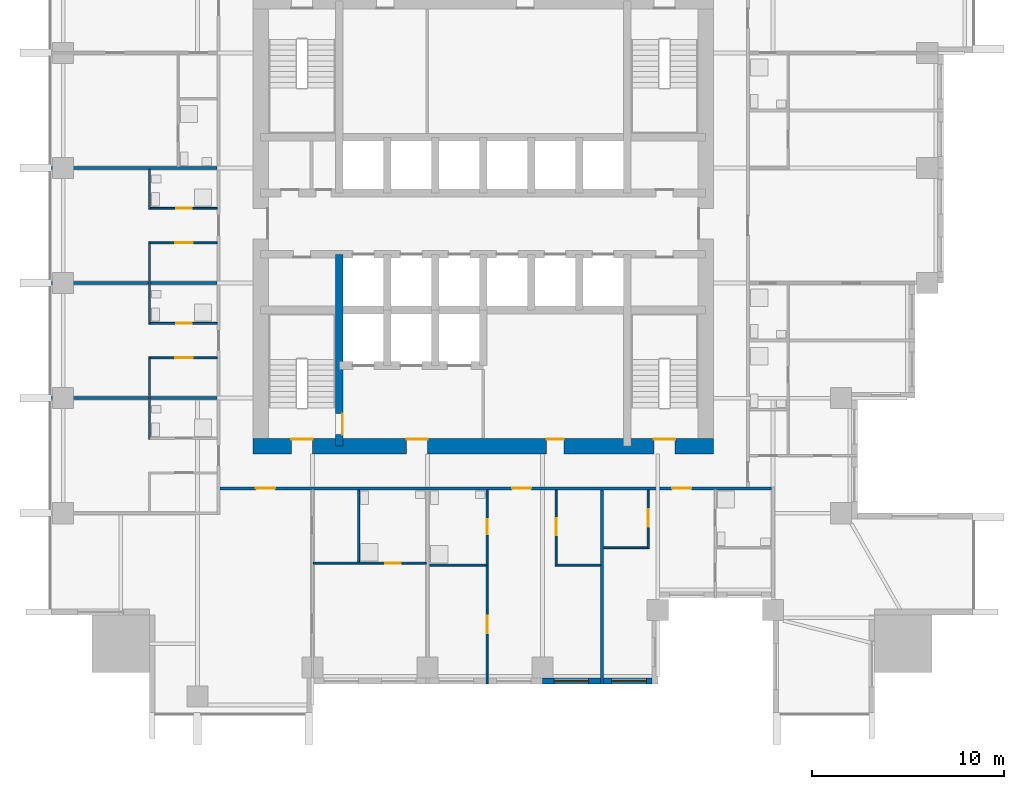
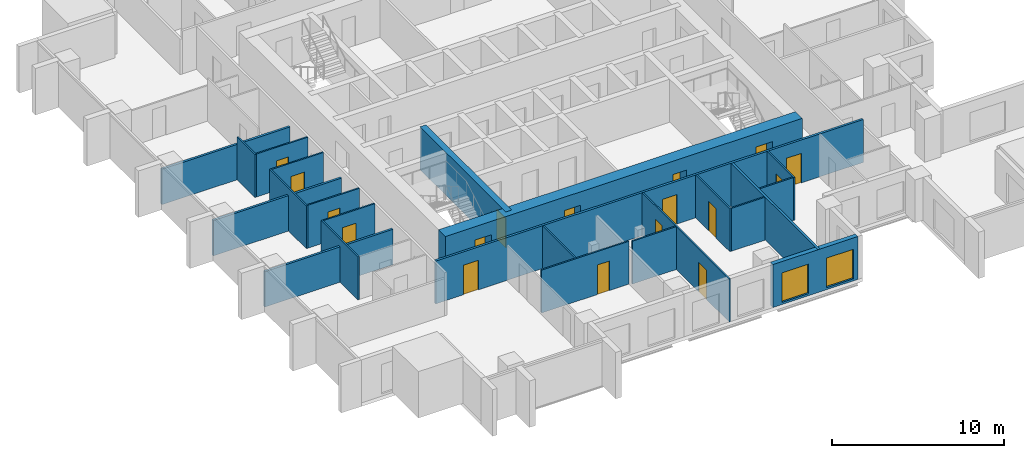
# One storey, part 4 of 10: 23 walls, 17 doors, 2 windows, 19 openings.
"""IFC4 building model written with IfcOpenShell, lengths in metres."""

import ifcopenshell
import ifcopenshell.guid

model = None  # the IFC model being written
_history = None  # IfcOwnerHistory: only IFC2X3 demands one
_inside = {}  # id of a spatial element -> (the spatial element, [elements in it])
_under = {}  # id of a project, library or spatial element -> (it, [spatial elements below it])
_declared = {}  # id of a project -> (the project, [libraries it declares])
_typed = {}  # id of a type object -> (the type object, [elements of that type])
_made_of = {}  # id of a material, layer set ... -> (it, [elements and type objects made of it])


def new_model(schema):
    """Start an empty IFC model of exactly this schema.

    Asked for "IFC4X3", IfcOpenShell would pick the latest addendum, in which some entities
    have other attributes; the version numbers below select the first issue.
    IFC2X3 requires an IfcOwnerHistory on every rooted entity: one is made here for all.
    """
    global model, _history
    if schema == "IFC4X3":
        model = ifcopenshell.file(schema_version=(4, 3, 0, 0))
    else:
        model = ifcopenshell.file(schema=schema)
    _inside.clear()
    _under.clear()
    _declared.clear()
    _typed.clear()
    _made_of.clear()
    _history = None
    if model.schema == "IFC2X3":
        org = make("IfcOrganization", Name="unknown")
        user = make(
            "IfcPersonAndOrganization",
            ThePerson=make("IfcPerson", FamilyName="unknown"),
            TheOrganization=org,
        )
        app = make(
            "IfcApplication",
            ApplicationDeveloper=org,
            Version="unknown",
            ApplicationFullName="unknown",
            ApplicationIdentifier="unknown",
        )
        _history = make(
            "IfcOwnerHistory",
            OwningUser=user,
            OwningApplication=app,
            ChangeAction="ADDED",
            CreationDate=0,
        )
    return model


def make(cls, **values):
    """One entity of the class cls with the attributes given. An attribute that is None is left unset."""
    return model.create_entity(
        cls, **{name: value for name, value in values.items() if value is not None}
    )


def rooted(cls, **values):
    """An entity with a GlobalId (a new one), such as an element, a storey or a relation."""
    return make(cls, GlobalId=ifcopenshell.guid.new(), OwnerHistory=_history, **values)


def si_unit(unit_type, name, prefix=None):
    """IfcSIUnit, for example si_unit("LENGTHUNIT", "METRE", prefix="MILLI")."""
    return make("IfcSIUnit", UnitType=unit_type, Prefix=prefix, Name=name)


def assignment(units):
    """IfcUnitAssignment: the units of a project."""
    return None if units is None else make("IfcUnitAssignment", Units=units)


def point(xyz):
    """IfcCartesianPoint."""
    return None if xyz is None else make("IfcCartesianPoint", Coordinates=xyz)


def direction(xyz):
    """IfcDirection."""
    return None if xyz is None else make("IfcDirection", DirectionRatios=xyz)


def frame(location, z_axis=None, x_axis=None):
    """IfcAxis2Placement3D, a coordinate frame: its origin and axes. An axis left out is left unset."""
    return make(
        "IfcAxis2Placement3D",
        Location=point(location),
        Axis=direction(z_axis),
        RefDirection=direction(x_axis),
    )


def frame_2d(location, x_axis=None):
    """IfcAxis2Placement2D, a coordinate frame in the plane: its origin and x axis."""
    return make(
        "IfcAxis2Placement2D", Location=point(location), RefDirection=direction(x_axis)
    )


def origin():
    """The frame at (0, 0, 0) with its axes left unset."""
    return frame((0.0, 0.0, 0.0))


def place(relative_to, where):
    """IfcLocalPlacement: puts the frame where relative to a parent placement (None: the world)."""
    return make(
        "IfcLocalPlacement", PlacementRelTo=relative_to, RelativePlacement=where
    )


def context(
    kind, dimensions, precision=None, world=None, true_north=None, identifier=None
):
    """IfcGeometricRepresentationContext, for example the 3D "Model" context."""
    return make(
        "IfcGeometricRepresentationContext",
        ContextIdentifier=identifier,
        ContextType=kind,
        CoordinateSpaceDimension=dimensions,
        Precision=precision,
        WorldCoordinateSystem=world,
        TrueNorth=true_north,
    )


def subcontext(parent, identifier, kind, view, scale=None):
    """IfcGeometricRepresentationSubContext, for example "Body" below "Model"."""
    return make(
        "IfcGeometricRepresentationSubContext",
        ContextIdentifier=identifier,
        ContextType=kind,
        ParentContext=parent,
        TargetScale=scale,
        TargetView=view,
    )


def project(units=None, contexts=None):
    """IfcProject with its units and contexts."""
    return rooted(
        "IfcProject",
        Name="project",
        RepresentationContexts=contexts,
        UnitsInContext=assignment(units),
    )


def spatial(cls, under=None, at=None, **own):
    """A site, building, storey or space (cls), placed at a placement, below another one or the project."""
    s = rooted(cls, ObjectPlacement=at, **own)
    if under is not None:
        _under.setdefault(under.id(), (under, []))[1].append(s)
    return s


def profile(cls, at=None, kind="AREA", **sizes):
    """A parametric profile (cls). Its sizes go by their IFC names, for example OverallWidth=200.0."""
    return make(cls, ProfileType=kind, Position=at, **sizes)


def rectangle(**sizes):
    """IfcRectangleProfileDef."""
    return profile("IfcRectangleProfileDef", **sizes)


def extrude(swept, where, along, depth):
    """IfcExtrudedAreaSolid: the profile swept, set in the frame where, extruded along a direction by depth."""
    return make(
        "IfcExtrudedAreaSolid",
        SweptArea=swept,
        Position=where,
        ExtrudedDirection=direction(along),
        Depth=depth,
    )


def shape(context_of_items, identifier, shape_type, items):
    """IfcShapeRepresentation: the items that make up one representation, for example the "Body"."""
    return make(
        "IfcShapeRepresentation",
        ContextOfItems=context_of_items,
        RepresentationIdentifier=identifier,
        RepresentationType=shape_type,
        Items=items,
    )


def material(Name=None, Category=None):
    """IfcMaterial."""
    return make("IfcMaterial", Name=Name, Category=Category)


def layer(
    of_material, thickness, ventilated=None, Name=None, Category=None, Priority=None
):
    """IfcMaterialLayer: one layer of a wall or slab, of a material (None: an air gap)."""
    return make(
        "IfcMaterialLayer",
        Material=of_material,
        LayerThickness=thickness,
        IsVentilated=ventilated,
        Name=Name,
        Category=Category,
        Priority=Priority,
    )


def layer_set(layers, Name=None):
    """IfcMaterialLayerSet."""
    return make("IfcMaterialLayerSet", MaterialLayers=layers, LayerSetName=Name)


def made_of(thing, what):
    """Note that an element or type object is made of a material, layer set ...; save() writes the relation."""
    if what is not None:
        _made_of.setdefault(what.id(), (what, []))[1].append(thing)
    return thing


def type_object(cls, material=None, **own):
    """A type object (cls), such as IfcWallType, which elements share."""
    return made_of(rooted(cls, **own), material)


def element(
    cls,
    number,
    at=None,
    inside=None,
    cuts=None,
    type_object=None,
    material=None,
    context=None,
    identifier="Body",
    shape_type=None,
    held_by="IfcProductDefinitionShape",
    body=None,
    shapes=None,
    **own,
):
    """One element of the class cls, such as IfcWall. Its Tag is "e" and its number.

    at: its placement. inside: the storey or other place that contains it. cuts: it is an
    opening in that element (IfcRelVoidsElement). A single representation is given by context,
    identifier, shape_type and body (its items); several are given by shapes. held_by: the class
    of the entity that holds the representations. save() writes the other relations.
    """
    e = rooted(cls, Tag="e%d" % number, ObjectPlacement=at, **own)
    if body is not None:
        shapes = [shape(context, identifier, shape_type, body)]
    if shapes is not None:
        e.Representation = make(held_by, Representations=shapes)
    if inside is not None:
        _inside.setdefault(inside.id(), (inside, []))[1].append(e)
    if cuts is not None:
        rooted(
            "IfcRelVoidsElement", RelatingBuildingElement=cuts, RelatedOpeningElement=e
        )
    if type_object is not None:
        _typed.setdefault(type_object.id(), (type_object, []))[1].append(e)
    return made_of(e, material)


def fill(opening, filler):
    """IfcRelFillsElement: the door or window that sits in an opening."""
    return rooted(
        "IfcRelFillsElement",
        RelatingOpeningElement=opening,
        RelatedBuildingElement=filler,
    )


def aggregate(whole, parts):
    """IfcRelAggregates: a whole, such as a stair, and the parts it consists of."""
    return rooted("IfcRelAggregates", RelatingObject=whole, RelatedObjects=parts)


def save(model, path):
    """Write the relations noted so far, then the file.

    IfcRelAggregates (storeys below a building ...), IfcRelContainedInSpatialStructure (elements
    in a storey), IfcRelDefinesByType, IfcRelAssociatesMaterial and IfcRelDeclares: one each for
    every whole, place, type object, material and project.
    """
    for whole, parts in _under.values():
        aggregate(whole, parts)
    for where, things in _inside.values():
        rooted(
            "IfcRelContainedInSpatialStructure",
            RelatedElements=things,
            RelatingStructure=where,
        )
    for kind, things in _typed.values():
        rooted("IfcRelDefinesByType", RelatedObjects=things, RelatingType=kind)
    for what, things in _made_of.values():
        rooted("IfcRelAssociatesMaterial", RelatedObjects=things, RelatingMaterial=what)
    for by, libraries in _declared.values():
        rooted("IfcRelDeclares", RelatingContext=by, RelatedDefinitions=libraries)
    model.write(path)


model = new_model("IFC4")

# Units and contexts
model_context = context("Model", 3, precision=1e-05, world=origin(), true_north=direction((0.0, 1.0)))
body_context = subcontext(model_context, "Body", "Model", "MODEL_VIEW")
ifc_project = project(units=[si_unit("LENGTHUNIT", "METRE"), si_unit("AREAUNIT", "SQUARE_METRE"), si_unit("VOLUMEUNIT", "CUBIC_METRE"), si_unit("PLANEANGLEUNIT", "RADIAN"), si_unit("MASSUNIT", "GRAM", prefix="KILO")], contexts=[model_context])

# Site, building, storey
site_placement = place(None, origin())
site = spatial("IfcSite", under=ifc_project, at=site_placement, CompositionType="ELEMENT")
building_placement = place(site_placement, origin())
building = spatial("IfcBuilding", under=site, at=building_placement, Name="Amberfall Residences", CompositionType="ELEMENT")
storey_placement = place(building_placement, frame((0.0, 0.0, 105.10009765625)))
storey = spatial("IfcBuildingStorey", under=building, at=storey_placement, Name="L28", CompositionType="ELEMENT", Elevation=105.10009765625)

# Wall, openings, windows
ifc_material_1 = material(Name="Pale stone cladding on insulated backing", Category="masonry")
ifc_layer_1 = layer(ifc_material_1, 0.300048828125)
ifc_layer_set_1 = layer_set([ifc_layer_1], Name="Bronze clad wall 300")
wall_type_1 = type_object("IfcWallType", Name="Bronze clad wall 300", PredefinedType="SOLIDWALL", material=ifc_layer_set_1)
wall_1_placement = place(storey_placement, frame((77.60009765625, 21.64990234375, 0.0), z_axis=(0.0, 0.0, 1.0), x_axis=(1.0, 0.0, 0.0)))
wall_1 = element("IfcWall", 1, at=wall_1_placement, inside=storey, type_object=wall_type_1, Name="Stone wall L28 S", PredefinedType="SOLIDWALL", context=body_context, shape_type="SweptSolid", body=[
    extrude(rectangle(XDim=5.699951171875, YDim=0.300048828125, at=frame_2d((2.85009765625, 0.0))), origin(), (0.0, 0.0, 1.0), 3.0498046875),
])
opening_1_placement = place(wall_1_placement, frame((0.60009765625, 0.0, 0.14990234375)))
opening_1 = element("IfcOpeningElement", 2, at=opening_1_placement, cuts=wall_1, Name="Opening WN6", PredefinedType="OPENING", context=body_context, shape_type="SweptSolid", body=[
    extrude(rectangle(XDim=1.800048828125, YDim=2.10009765625, at=frame_2d((0.89990234375, 1.050048828125))), frame((0.0, 0.159912109375, 0.0), z_axis=(0.0, -1.0, 0.0), x_axis=(1.0, 0.0, 0.0)), (0.0, 0.0, 1.0), 0.320068359375),
])
opening_2_placement = place(wall_1_placement, frame((3.60009765625, 0.0, 0.14990234375)))
opening_2 = element("IfcOpeningElement", 3, at=opening_2_placement, cuts=wall_1, Name="Opening WN6", PredefinedType="OPENING", context=body_context, shape_type="SweptSolid", body=[
    extrude(rectangle(XDim=1.800048828125, YDim=2.10009765625, at=frame_2d((0.89990234375, 1.050048828125))), frame((0.0, 0.159912109375, 0.0), z_axis=(0.0, -1.0, 0.0), x_axis=(1.0, 0.0, 0.0)), (0.0, 0.0, 1.0), 0.320068359375),
])
ifc_material_2 = material(Name="Bronze aluminium framed glazing", Category="aluminium")
window_type = type_object("IfcWindowType", Name="Glazed opening 1800 x 2100 bronze", PartitioningType="DOUBLE_PANEL_VERTICAL", PredefinedType="WINDOW", material=ifc_material_2)
window_1_placement = place(opening_1_placement, origin())
window_1 = element("IfcWindow", 4, at=window_1_placement, inside=storey, type_object=window_type, Name="Window L28 S", OverallHeight=2.10009765625, OverallWidth=1.800048828125, PartitioningType="DOUBLE_PANEL_VERTICAL", PredefinedType="WINDOW", context=body_context, shape_type="SweptSolid", body=[
    extrude(rectangle(XDim=1.800048828125, YDim=2.10009765625, at=frame_2d((0.89990234375, 1.050048828125))), frame((0.0, 0.030029296875, 0.0), z_axis=(0.0, -1.0, 0.0), x_axis=(1.0, 0.0, 0.0)), (0.0, 0.0, 1.0), 0.06005859375),
])
fill(opening_1, window_1)
window_2_placement = place(opening_2_placement, origin())
window_2 = element("IfcWindow", 5, at=window_2_placement, inside=storey, type_object=window_type, Name="Window L28 S", OverallHeight=2.10009765625, OverallWidth=1.800048828125, PartitioningType="DOUBLE_PANEL_VERTICAL", PredefinedType="WINDOW", context=body_context, shape_type="SweptSolid", body=[
    extrude(rectangle(XDim=1.800048828125, YDim=2.10009765625, at=frame_2d((0.89990234375, 1.050048828125))), frame((0.0, 0.030029296875, 0.0), z_axis=(0.0, -1.0, 0.0), x_axis=(1.0, 0.0, 0.0)), (0.0, 0.0, 1.0), 0.06005859375),
])
fill(opening_2, window_2)

# Wall, opening, door
ifc_material_3 = material(Name="Concrete C70", Category="concrete")
ifc_layer_2 = layer(ifc_material_3, 0.39990234375)
ifc_layer_set_2 = layer_set([ifc_layer_2], Name="Core wall 400 C70")
wall_type_2 = type_object("IfcWallType", Name="Core wall 400 C70", PredefinedType="SHEAR", material=ifc_layer_set_2)
wall_2_placement = place(storey_placement, frame((67.0, 33.89990234375, 0.0), z_axis=(0.0, 0.0, 1.0), x_axis=(0.0, 1.0, 0.0)))
wall_2 = element("IfcWall", 6, at=wall_2_placement, inside=storey, type_object=wall_type_2, Name="Core wall RW4 L28 V45S", PredefinedType="SHEAR", context=body_context, shape_type="SweptSolid", body=[
    extrude(rectangle(XDim=10.0, YDim=0.39990234375, at=frame_2d((5.0, 0.0))), origin(), (0.0, 0.0, 1.0), 3.0498046875),
])
opening_3_placement = place(wall_2_placement, frame((0.60009765625, 0.0, 0.0)))
opening_3 = element("IfcOpeningElement", 7, at=opening_3_placement, cuts=wall_2, Name="Opening FL1", PredefinedType="OPENING", context=body_context, shape_type="SweptSolid", body=[
    extrude(rectangle(XDim=1.10009765625, YDim=2.10009765625, at=frame_2d((0.550048828125, 1.050048828125))), frame((0.0, 0.2099609375, 0.0), z_axis=(0.0, -1.0, 0.0), x_axis=(1.0, 0.0, 0.0)), (0.0, 0.0, 1.0), 0.419921875),
])
ifc_material_4 = material(Name="Steel fire door set", Category="steel")
door_type_1 = type_object("IfcDoorType", Name="Firefighting lobby door 1100 x 2100", OperationType="SINGLE_SWING_LEFT", PredefinedType="DOOR", material=ifc_material_4)
door_1_placement = place(opening_3_placement, origin())
door_1 = element("IfcDoor", 8, at=door_1_placement, inside=storey, type_object=door_type_1, Name="FL1 L28", OperationType="SINGLE_SWING_RIGHT", OverallHeight=2.10009765625, OverallWidth=1.10009765625, PredefinedType="DOOR", context=body_context, shape_type="SweptSolid", body=[
    extrude(rectangle(XDim=1.10009765625, YDim=2.10009765625, at=frame_2d((0.550048828125, 1.050048828125))), frame((0.0, -0.1376953125, 0.0), z_axis=(0.0, -1.0, 0.0), x_axis=(1.0, 0.0, 0.0)), (0.0, 0.0, 1.0), 0.050048828125),
])
fill(opening_3, door_1)

# Wall, openings, doors
ifc_layer_3 = layer(ifc_material_3, 0.800048828125)
ifc_layer_set_3 = layer_set([ifc_layer_3], Name="Core wall 800 C70")
wall_type_3 = type_object("IfcWallType", Name="Core wall 800 C70", PredefinedType="SHEAR", material=ifc_layer_set_3)
wall_3_placement = place(storey_placement, frame((62.5, 33.89990234375, 0.0), z_axis=(0.0, 0.0, 1.0), x_axis=(1.0, 0.0, 0.0)))
wall_3 = element("IfcWall", 9, at=wall_3_placement, inside=storey, type_object=wall_type_3, Name="Core wall RW3 L28 OS", PredefinedType="SHEAR", context=body_context, shape_type="SweptSolid", body=[
    extrude(rectangle(XDim=24.0, YDim=0.800048828125, at=frame_2d((12.0, 0.0))), origin(), (0.0, 0.0, 1.0), 3.0498046875),
])
opening_4_placement = place(wall_3_placement, frame((2.0, 0.0, 0.0)))
opening_4 = element("IfcOpeningElement", 10, at=opening_4_placement, cuts=wall_3, Name="Opening SD1", PredefinedType="OPENING", context=body_context, shape_type="SweptSolid", body=[
    extrude(rectangle(XDim=1.10009765625, YDim=2.10009765625, at=frame_2d((0.550048828125, 1.050048828125))), frame((0.0, 0.409912109375, 0.0), z_axis=(0.0, -1.0, 0.0), x_axis=(1.0, 0.0, 0.0)), (0.0, 0.0, 1.0), 0.820068359375),
])
opening_5_placement = place(wall_3_placement, frame((20.89990234375, 0.0, 0.0)))
opening_5 = element("IfcOpeningElement", 11, at=opening_5_placement, cuts=wall_3, Name="Opening SD1", PredefinedType="OPENING", context=body_context, shape_type="SweptSolid", body=[
    extrude(rectangle(XDim=1.10009765625, YDim=2.10009765625, at=frame_2d((0.550048828125, 1.050048828125))), frame((0.0, 0.409912109375, 0.0), z_axis=(0.0, -1.0, 0.0), x_axis=(1.0, 0.0, 0.0)), (0.0, 0.0, 1.0), 0.820068359375),
])
opening_6_placement = place(wall_3_placement, frame((8.0, 0.0, 0.0)))
opening_6 = element("IfcOpeningElement", 12, at=opening_6_placement, cuts=wall_3, Name="Opening FL1", PredefinedType="OPENING", context=body_context, shape_type="SweptSolid", body=[
    extrude(rectangle(XDim=1.10009765625, YDim=2.10009765625, at=frame_2d((0.550048828125, 1.050048828125))), frame((0.0, 0.409912109375, 0.0), z_axis=(0.0, -1.0, 0.0), x_axis=(1.0, 0.0, 0.0)), (0.0, 0.0, 1.0), 0.820068359375),
])
opening_7_placement = place(wall_3_placement, frame((15.300048828125, 0.0, 0.0)))
opening_7 = element("IfcOpeningElement", 13, at=opening_7_placement, cuts=wall_3, Name="Opening RD1", PredefinedType="OPENING", context=body_context, shape_type="SweptSolid", body=[
    extrude(rectangle(XDim=0.89990234375, YDim=2.10009765625, at=frame_2d((0.449951171875, 1.050048828125))), frame((0.0, 0.409912109375, 0.0), z_axis=(0.0, -1.0, 0.0), x_axis=(1.0, 0.0, 0.0)), (0.0, 0.0, 1.0), 0.820068359375),
])
door_2_placement = place(opening_6_placement, origin())
door_2 = element("IfcDoor", 14, at=door_2_placement, inside=storey, type_object=door_type_1, Name="FL1 L28", OperationType="SINGLE_SWING_LEFT", OverallHeight=2.10009765625, OverallWidth=1.10009765625, PredefinedType="DOOR", context=body_context, shape_type="SweptSolid", body=[
    extrude(rectangle(XDim=1.10009765625, YDim=2.10009765625, at=frame_2d((0.550048828125, 1.050048828125))), frame((0.0, 0.3876953125, 0.0), z_axis=(0.0, -1.0, 0.0), x_axis=(1.0, 0.0, 0.0)), (0.0, 0.0, 1.0), 0.050048828125),
])
fill(opening_6, door_2)
door_type_2 = type_object("IfcDoorType", Name="Service room door 900 x 2100", OperationType="SINGLE_SWING_LEFT", PredefinedType="DOOR", material=ifc_material_4)
door_3_placement = place(opening_7_placement, origin())
door_3 = element("IfcDoor", 15, at=door_3_placement, inside=storey, type_object=door_type_2, Name="RD1 L28", OperationType="SINGLE_SWING_LEFT", OverallHeight=2.10009765625, OverallWidth=0.89990234375, PredefinedType="DOOR", context=body_context, shape_type="SweptSolid", body=[
    extrude(rectangle(XDim=0.89990234375, YDim=2.10009765625, at=frame_2d((0.449951171875, 1.050048828125))), frame((0.0, 0.3876953125, 0.0), z_axis=(0.0, -1.0, 0.0), x_axis=(1.0, 0.0, 0.0)), (0.0, 0.0, 1.0), 0.050048828125),
])
fill(opening_7, door_3)
door_type_3 = type_object("IfcDoorType", Name="Stair door 1100 x 2100", OperationType="SINGLE_SWING_LEFT", PredefinedType="DOOR", material=ifc_material_4)
door_4_placement = place(opening_4_placement, origin())
door_4 = element("IfcDoor", 16, at=door_4_placement, inside=storey, type_object=door_type_3, Name="SD1 L28", OperationType="SINGLE_SWING_LEFT", OverallHeight=2.10009765625, OverallWidth=1.10009765625, PredefinedType="DOOR", context=body_context, shape_type="SweptSolid", body=[
    extrude(rectangle(XDim=1.10009765625, YDim=2.10009765625, at=frame_2d((0.550048828125, 1.050048828125))), frame((0.0, 0.3876953125, 0.0), z_axis=(0.0, -1.0, 0.0), x_axis=(1.0, 0.0, 0.0)), (0.0, 0.0, 1.0), 0.050048828125),
])
fill(opening_4, door_4)
door_5_placement = place(opening_5_placement, origin())
door_5 = element("IfcDoor", 17, at=door_5_placement, inside=storey, type_object=door_type_3, Name="SD1 L28", OperationType="SINGLE_SWING_RIGHT", OverallHeight=2.10009765625, OverallWidth=1.10009765625, PredefinedType="DOOR", context=body_context, shape_type="SweptSolid", body=[
    extrude(rectangle(XDim=1.10009765625, YDim=2.10009765625, at=frame_2d((0.550048828125, 1.050048828125))), frame((0.0, 0.3876953125, 0.0), z_axis=(0.0, -1.0, 0.0), x_axis=(1.0, 0.0, 0.0)), (0.0, 0.0, 1.0), 0.050048828125),
])
fill(opening_5, door_5)

# Walls
ifc_material_5 = material(Name="Gypsum board on metal stud")
ifc_layer_4 = layer(ifc_material_5, 0.10009765625)
ifc_layer_set_4 = layer_set([ifc_layer_4], Name="Flat partition 100")
wall_type_4 = type_object("IfcWallType", Name="Flat partition 100", PredefinedType="PARTITIONING", material=ifc_layer_set_4)
for number, where, z_axis, x_axis, name in (
    (18, (57.10009765625, 34.25, 0.0), (0.0, 0.0, 1.0), (0.0, 1.0, 0.0), "Partition 002"),
    (19, (57.10009765625, 40.25, 0.0), (0.0, 0.0, 1.0), (0.0, 1.0, 0.0), "Partition 003"),
):
    element("IfcWall", number, at=place(storey_placement, frame(where, z_axis=z_axis, x_axis=x_axis)), inside=storey, type_object=wall_type_4, Name=name, PredefinedType="PARTITIONING", context=body_context, shape_type="SweptSolid", body=[
        extrude(rectangle(XDim=4.300048828125, YDim=0.10009765625, at=frame_2d((2.14990234375, 0.0))), origin(), (0.0, 0.0, 1.0), 3.0498046875),
    ])
wall_4_placement = place(storey_placement, frame((57.10009765625, 46.25, 0.0), z_axis=(0.0, 0.0, 1.0), x_axis=(0.0, 1.0, 0.0)))
element("IfcWall", 20, at=wall_4_placement, inside=storey, type_object=wall_type_4, Name="Partition 004", PredefinedType="PARTITIONING", context=body_context, shape_type="SweptSolid", body=[
    extrude(rectangle(XDim=2.074951171875, YDim=0.10009765625, at=frame_2d((1.03759765625, 0.0))), origin(), (0.0, 0.0, 1.0), 3.0498046875),
])
wall_5_placement = place(storey_placement, frame((68.0, 27.85009765625, 0.0), z_axis=(0.0, 0.0, 1.0), x_axis=(0.0, 1.0, 0.0)))
element("IfcWall", 21, at=wall_5_placement, inside=storey, type_object=wall_type_4, Name="Partition 009", PredefinedType="PARTITIONING", context=body_context, shape_type="SweptSolid", body=[
    extrude(rectangle(XDim=3.77490234375, YDim=0.10009765625, at=frame_2d((1.887451171875, 0.0))), origin(), (0.0, 0.0, 1.0), 3.0498046875),
])

# Wall, openings, doors
wall_6_placement = place(storey_placement, frame((74.699951171875, 21.5, 0.0), z_axis=(0.0, 0.0, 1.0), x_axis=(0.0, 1.0, 0.0)))
wall_6 = element("IfcWall", 22, at=wall_6_placement, inside=storey, type_object=wall_type_4, Name="Partition 012", PredefinedType="PARTITIONING", context=body_context, shape_type="SweptSolid", body=[
    extrude(rectangle(XDim=10.125, YDim=0.10009765625, at=frame_2d((5.0625, 0.0))), origin(), (0.0, 0.0, 1.0), 3.0498046875),
])
opening_8_placement = place(wall_6_placement, frame((2.64990234375, 0.0, 0.0)))
opening_8 = element("IfcOpeningElement", 23, at=opening_8_placement, cuts=wall_6, Name="Opening D41", PredefinedType="OPENING", context=body_context, shape_type="SweptSolid", body=[
    extrude(rectangle(XDim=0.89990234375, YDim=2.10009765625, at=frame_2d((0.449951171875, 1.050048828125))), frame((0.0, 0.06005859375, 0.0), z_axis=(0.0, -1.0, 0.0), x_axis=(1.0, 0.0, 0.0)), (0.0, 0.0, 1.0), 0.1201171875),
])
opening_9_placement = place(wall_6_placement, frame((7.800048828125, 0.0, 0.0)))
opening_9 = element("IfcOpeningElement", 24, at=opening_9_placement, cuts=wall_6, Name="Opening D42", PredefinedType="OPENING", context=body_context, shape_type="SweptSolid", body=[
    extrude(rectangle(XDim=0.800048828125, YDim=2.10009765625, at=frame_2d((0.39990234375, 1.050048828125))), frame((0.0, 0.06005859375, 0.0), z_axis=(0.0, -1.0, 0.0), x_axis=(1.0, 0.0, 0.0)), (0.0, 0.0, 1.0), 0.1201171875),
])
ifc_material_6 = material(Name="Timber", Category="wood")
door_type_4 = type_object("IfcDoorType", Name="Bathroom door 800 x 2100", OperationType="SINGLE_SWING_LEFT", PredefinedType="DOOR", material=ifc_material_6)
door_6_placement = place(opening_9_placement, origin())
door_6 = element("IfcDoor", 25, at=door_6_placement, inside=storey, type_object=door_type_4, Name="Door 2802 bath1", OperationType="SINGLE_SWING_LEFT", OverallHeight=2.10009765625, OverallWidth=0.800048828125, PredefinedType="DOOR", context=body_context, shape_type="SweptSolid", body=[
    extrude(rectangle(XDim=0.800048828125, YDim=2.10009765625, at=frame_2d((0.39990234375, 1.050048828125))), frame((0.0, 0.02490234375, 0.0), z_axis=(0.0, -1.0, 0.0), x_axis=(1.0, 0.0, 0.0)), (0.0, 0.0, 1.0), 0.050048828125),
])
fill(opening_9, door_6)
door_type_5 = type_object("IfcDoorType", Name="Internal door 900 x 2100", OperationType="SINGLE_SWING_LEFT", PredefinedType="DOOR", material=ifc_material_6)
door_7_placement = place(opening_8_placement, origin())
door_7 = element("IfcDoor", 26, at=door_7_placement, inside=storey, type_object=door_type_5, Name="Door 2802 bedroom1", OperationType="SINGLE_SWING_LEFT", OverallHeight=2.10009765625, OverallWidth=0.89990234375, PredefinedType="DOOR", context=body_context, shape_type="SweptSolid", body=[
    extrude(rectangle(XDim=0.89990234375, YDim=2.10009765625, at=frame_2d((0.449951171875, 1.050048828125))), frame((0.0, 0.02490234375, 0.0), z_axis=(0.0, -1.0, 0.0), x_axis=(1.0, 0.0, 0.0)), (0.0, 0.0, 1.0), 0.050048828125),
])
fill(opening_8, door_7)

# Wall, opening, door
wall_7_placement = place(storey_placement, frame((78.300048828125, 31.625, 0.0), z_axis=(0.0, 0.0, 1.0), x_axis=(0.0, -1.0, 0.0)))
wall_7 = element("IfcWall", 27, at=wall_7_placement, inside=storey, type_object=wall_type_4, Name="Partition 014", PredefinedType="PARTITIONING", context=body_context, shape_type="SweptSolid", body=[
    extrude(rectangle(XDim=3.97509765625, YDim=0.10009765625, at=frame_2d((1.987548828125, 0.0))), origin(), (0.0, 0.0, 1.0), 3.0498046875),
])
opening_10_placement = place(wall_7_placement, frame((1.47509765625, 0.0, 0.0)))
opening_10 = element("IfcOpeningElement", 28, at=opening_10_placement, cuts=wall_7, Name="Opening D41", PredefinedType="OPENING", context=body_context, shape_type="SweptSolid", body=[
    extrude(rectangle(XDim=0.89990234375, YDim=2.10009765625, at=frame_2d((0.449951171875, 1.050048828125))), frame((0.0, 0.06005859375, 0.0), z_axis=(0.0, -1.0, 0.0), x_axis=(1.0, 0.0, 0.0)), (0.0, 0.0, 1.0), 0.1201171875),
])
door_8_placement = place(opening_10_placement, origin())
door_8 = element("IfcDoor", 29, at=door_8_placement, inside=storey, type_object=door_type_5, Name="Door 2802 kitchen", OperationType="SINGLE_SWING_LEFT", OverallHeight=2.10009765625, OverallWidth=0.89990234375, PredefinedType="DOOR", context=body_context, shape_type="SweptSolid", body=[
    extrude(rectangle(XDim=0.89990234375, YDim=2.10009765625, at=frame_2d((0.449951171875, 1.050048828125))), frame((0.0, 0.02490234375, 0.0), z_axis=(0.0, -1.0, 0.0), x_axis=(1.0, 0.0, 0.0)), (0.0, 0.0, 1.0), 0.050048828125),
])
fill(opening_10, door_8)

wall_8_placement = place(storey_placement, frame((83.10009765625, 28.550048828125, 0.0), z_axis=(0.0, 0.0, 1.0), x_axis=(0.0, 1.0, 0.0)))
wall_8 = element("IfcWall", 30, at=wall_8_placement, inside=storey, type_object=wall_type_4, Name="Partition 016", PredefinedType="PARTITIONING", context=body_context, shape_type="SweptSolid", body=[
    extrude(rectangle(XDim=3.074951171875, YDim=0.10009765625, at=frame_2d((1.53759765625, 0.0))), origin(), (0.0, 0.0, 1.0), 3.0498046875),
])
opening_11_placement = place(wall_8_placement, frame((1.14990234375, 0.0, 0.0)))
opening_11 = element("IfcOpeningElement", 31, at=opening_11_placement, cuts=wall_8, Name="Opening D41", PredefinedType="OPENING", context=body_context, shape_type="SweptSolid", body=[
    extrude(rectangle(XDim=0.89990234375, YDim=2.10009765625, at=frame_2d((0.449951171875, 1.050048828125))), frame((0.0, 0.06005859375, 0.0), z_axis=(0.0, -1.0, 0.0), x_axis=(1.0, 0.0, 0.0)), (0.0, 0.0, 1.0), 0.1201171875),
])
door_9_placement = place(opening_11_placement, origin())
door_9 = element("IfcDoor", 32, at=door_9_placement, inside=storey, type_object=door_type_5, Name="Door 2803 kitchen", OperationType="SINGLE_SWING_LEFT", OverallHeight=2.10009765625, OverallWidth=0.89990234375, PredefinedType="DOOR", context=body_context, shape_type="SweptSolid", body=[
    extrude(rectangle(XDim=0.89990234375, YDim=2.10009765625, at=frame_2d((0.449951171875, 1.050048828125))), frame((0.0, 0.02490234375, 0.0), z_axis=(0.0, -1.0, 0.0), x_axis=(1.0, 0.0, 0.0)), (0.0, 0.0, 1.0), 0.050048828125),
])
fill(opening_11, door_9)

wall_9_placement = place(storey_placement, frame((57.14990234375, 46.300048828125, 0.0), z_axis=(0.0, 0.0, 1.0), x_axis=(1.0, 0.0, 0.0)))
wall_9 = element("IfcWall", 33, at=wall_9_placement, inside=storey, type_object=wall_type_4, Name="Partition 032", PredefinedType="PARTITIONING", context=body_context, shape_type="SweptSolid", body=[
    extrude(rectangle(XDim=3.47509765625, YDim=0.10009765625, at=frame_2d((1.737548828125, 0.0))), origin(), (0.0, 0.0, 1.0), 3.0498046875),
])
opening_12_placement = place(wall_9_placement, frame((1.35009765625, 0.0, 0.0)))
opening_12 = element("IfcOpeningElement", 34, at=opening_12_placement, cuts=wall_9, Name="Opening D42", PredefinedType="OPENING", context=body_context, shape_type="SweptSolid", body=[
    extrude(rectangle(XDim=0.800048828125, YDim=2.10009765625, at=frame_2d((0.39990234375, 1.050048828125))), frame((0.0, 0.06005859375, 0.0), z_axis=(0.0, -1.0, 0.0), x_axis=(1.0, 0.0, 0.0)), (0.0, 0.0, 1.0), 0.1201171875),
])
door_10_placement = place(opening_12_placement, origin())
door_10 = element("IfcDoor", 35, at=door_10_placement, inside=storey, type_object=door_type_4, Name="Door 2812 bath1", OperationType="SINGLE_SWING_LEFT", OverallHeight=2.10009765625, OverallWidth=0.800048828125, PredefinedType="DOOR", context=body_context, shape_type="SweptSolid", body=[
    extrude(rectangle(XDim=0.800048828125, YDim=2.10009765625, at=frame_2d((0.39990234375, 1.050048828125))), frame((0.0, 0.02490234375, 0.0), z_axis=(0.0, -1.0, 0.0), x_axis=(1.0, 0.0, 0.0)), (0.0, 0.0, 1.0), 0.050048828125),
])
fill(opening_12, door_10)

wall_10_placement = place(storey_placement, frame((60.625, 44.5, 0.0), z_axis=(0.0, 0.0, 1.0), x_axis=(-1.0, 0.0, 0.0)))
wall_10 = element("IfcWall", 36, at=wall_10_placement, inside=storey, type_object=wall_type_4, Name="Partition 033", PredefinedType="PARTITIONING", context=body_context, shape_type="SweptSolid", body=[
    extrude(rectangle(XDim=3.47509765625, YDim=0.10009765625, at=frame_2d((1.737548828125, 0.0))), origin(), (0.0, 0.0, 1.0), 3.0498046875),
])
opening_13_placement = place(wall_10_placement, frame((1.27490234375, 0.0, 0.0)))
opening_13 = element("IfcOpeningElement", 37, at=opening_13_placement, cuts=wall_10, Name="Opening D41", PredefinedType="OPENING", context=body_context, shape_type="SweptSolid", body=[
    extrude(rectangle(XDim=0.89990234375, YDim=2.10009765625, at=frame_2d((0.449951171875, 1.050048828125))), frame((0.0, 0.06005859375, 0.0), z_axis=(0.0, -1.0, 0.0), x_axis=(1.0, 0.0, 0.0)), (0.0, 0.0, 1.0), 0.1201171875),
])
door_11_placement = place(opening_13_placement, origin())
door_11 = element("IfcDoor", 38, at=door_11_placement, inside=storey, type_object=door_type_5, Name="Door 2812 kitchen", OperationType="SINGLE_SWING_LEFT", OverallHeight=2.10009765625, OverallWidth=0.89990234375, PredefinedType="DOOR", context=body_context, shape_type="SweptSolid", body=[
    extrude(rectangle(XDim=0.89990234375, YDim=2.10009765625, at=frame_2d((0.449951171875, 1.050048828125))), frame((0.0, 0.02490234375, 0.0), z_axis=(0.0, -1.0, 0.0), x_axis=(1.0, 0.0, 0.0)), (0.0, 0.0, 1.0), 0.050048828125),
])
fill(opening_13, door_11)

wall_11_placement = place(storey_placement, frame((57.14990234375, 40.300048828125, 0.0), z_axis=(0.0, 0.0, 1.0), x_axis=(1.0, 0.0, 0.0)))
wall_11 = element("IfcWall", 39, at=wall_11_placement, inside=storey, type_object=wall_type_4, Name="Partition 035", PredefinedType="PARTITIONING", context=body_context, shape_type="SweptSolid", body=[
    extrude(rectangle(XDim=3.47509765625, YDim=0.10009765625, at=frame_2d((1.737548828125, 0.0))), origin(), (0.0, 0.0, 1.0), 3.0498046875),
])
opening_14_placement = place(wall_11_placement, frame((1.35009765625, 0.0, 0.0)))
opening_14 = element("IfcOpeningElement", 40, at=opening_14_placement, cuts=wall_11, Name="Opening D42", PredefinedType="OPENING", context=body_context, shape_type="SweptSolid", body=[
    extrude(rectangle(XDim=0.800048828125, YDim=2.10009765625, at=frame_2d((0.39990234375, 1.050048828125))), frame((0.0, 0.06005859375, 0.0), z_axis=(0.0, -1.0, 0.0), x_axis=(1.0, 0.0, 0.0)), (0.0, 0.0, 1.0), 0.1201171875),
])
door_12_placement = place(opening_14_placement, origin())
door_12 = element("IfcDoor", 41, at=door_12_placement, inside=storey, type_object=door_type_4, Name="Door 2811 bath1", OperationType="SINGLE_SWING_LEFT", OverallHeight=2.10009765625, OverallWidth=0.800048828125, PredefinedType="DOOR", context=body_context, shape_type="SweptSolid", body=[
    extrude(rectangle(XDim=0.800048828125, YDim=2.10009765625, at=frame_2d((0.39990234375, 1.050048828125))), frame((0.0, 0.02490234375, 0.0), z_axis=(0.0, -1.0, 0.0), x_axis=(1.0, 0.0, 0.0)), (0.0, 0.0, 1.0), 0.050048828125),
])
fill(opening_14, door_12)

wall_12_placement = place(storey_placement, frame((60.625, 38.5, 0.0), z_axis=(0.0, 0.0, 1.0), x_axis=(-1.0, 0.0, 0.0)))
wall_12 = element("IfcWall", 42, at=wall_12_placement, inside=storey, type_object=wall_type_4, Name="Partition 036", PredefinedType="PARTITIONING", context=body_context, shape_type="SweptSolid", body=[
    extrude(rectangle(XDim=3.47509765625, YDim=0.10009765625, at=frame_2d((1.737548828125, 0.0))), origin(), (0.0, 0.0, 1.0), 3.0498046875),
])
opening_15_placement = place(wall_12_placement, frame((1.27490234375, 0.0, 0.0)))
opening_15 = element("IfcOpeningElement", 43, at=opening_15_placement, cuts=wall_12, Name="Opening D41", PredefinedType="OPENING", context=body_context, shape_type="SweptSolid", body=[
    extrude(rectangle(XDim=0.89990234375, YDim=2.10009765625, at=frame_2d((0.449951171875, 1.050048828125))), frame((0.0, 0.06005859375, 0.0), z_axis=(0.0, -1.0, 0.0), x_axis=(1.0, 0.0, 0.0)), (0.0, 0.0, 1.0), 0.1201171875),
])
door_13_placement = place(opening_15_placement, origin())
door_13 = element("IfcDoor", 44, at=door_13_placement, inside=storey, type_object=door_type_5, Name="Door 2811 kitchen", OperationType="SINGLE_SWING_LEFT", OverallHeight=2.10009765625, OverallWidth=0.89990234375, PredefinedType="DOOR", context=body_context, shape_type="SweptSolid", body=[
    extrude(rectangle(XDim=0.89990234375, YDim=2.10009765625, at=frame_2d((0.449951171875, 1.050048828125))), frame((0.0, 0.02490234375, 0.0), z_axis=(0.0, -1.0, 0.0), x_axis=(1.0, 0.0, 0.0)), (0.0, 0.0, 1.0), 0.050048828125),
])
fill(opening_15, door_13)

# Wall
wall_13_placement = place(storey_placement, frame((80.77490234375, 28.60009765625, 0.0), z_axis=(0.0, 0.0, 1.0), x_axis=(1.0, 0.0, 0.0)))
element("IfcWall", 45, at=wall_13_placement, inside=storey, type_object=wall_type_4, Name="Partition 041", PredefinedType="PARTITIONING", context=body_context, shape_type="SweptSolid", body=[
    extrude(rectangle(XDim=2.275146484375, YDim=0.10009765625, at=frame_2d((1.1376953125, 0.0))), origin(), (0.0, 0.0, 1.0), 3.0498046875),
])

# Wall, opening, door
wall_14_placement = place(storey_placement, frame((65.64990234375, 27.800048828125, 0.0), z_axis=(0.0, 0.0, 1.0), x_axis=(1.0, 0.0, 0.0)))
wall_14 = element("IfcWall", 46, at=wall_14_placement, inside=storey, type_object=wall_type_4, Name="Partition 043", PredefinedType="PARTITIONING", context=body_context, shape_type="SweptSolid", body=[
    extrude(rectangle(XDim=5.875, YDim=0.10009765625, at=frame_2d((2.9375, 0.0))), origin(), (0.0, 0.0, 1.0), 3.0498046875),
])
opening_16_placement = place(wall_14_placement, frame((3.75, 0.0, 0.0)))
opening_16 = element("IfcOpeningElement", 47, at=opening_16_placement, cuts=wall_14, Name="Opening D42", PredefinedType="OPENING", context=body_context, shape_type="SweptSolid", body=[
    extrude(rectangle(XDim=0.800048828125, YDim=2.10009765625, at=frame_2d((0.39990234375, 1.050048828125))), frame((0.0, 0.06005859375, 0.0), z_axis=(0.0, -1.0, 0.0), x_axis=(1.0, 0.0, 0.0)), (0.0, 0.0, 1.0), 0.1201171875),
])
door_14_placement = place(opening_16_placement, origin())
door_14 = element("IfcDoor", 48, at=door_14_placement, inside=storey, type_object=door_type_4, Name="Door 2801 bath1", OperationType="SINGLE_SWING_LEFT", OverallHeight=2.10009765625, OverallWidth=0.800048828125, PredefinedType="DOOR", context=body_context, shape_type="SweptSolid", body=[
    extrude(rectangle(XDim=0.800048828125, YDim=2.10009765625, at=frame_2d((0.39990234375, 1.050048828125))), frame((0.0, 0.02490234375, 0.0), z_axis=(0.0, -1.0, 0.0), x_axis=(1.0, 0.0, 0.0)), (0.0, 0.0, 1.0), 0.050048828125),
])
fill(opening_16, door_14)

# Walls
wall_15_placement = place(storey_placement, frame((71.699951171875, 27.699951171875, 0.0), z_axis=(0.0, 0.0, 1.0), x_axis=(1.0, 0.0, 0.0)))
element("IfcWall", 49, at=wall_15_placement, inside=storey, type_object=wall_type_4, Name="Partition 044", PredefinedType="PARTITIONING", context=body_context, shape_type="SweptSolid", body=[
    extrude(rectangle(XDim=2.949951171875, YDim=0.10009765625, at=frame_2d((1.47509765625, 0.0))), origin(), (0.0, 0.0, 1.0), 3.0498046875),
])
wall_16_placement = place(storey_placement, frame((78.35009765625, 27.699951171875, 0.0), z_axis=(0.0, 0.0, 1.0), x_axis=(1.0, 0.0, 0.0)))
element("IfcWall", 50, at=wall_16_placement, inside=storey, type_object=wall_type_4, Name="Partition 045", PredefinedType="PARTITIONING", context=body_context, shape_type="SweptSolid", body=[
    extrude(rectangle(XDim=2.27490234375, YDim=0.10009765625, at=frame_2d((1.137451171875, 0.0))), origin(), (0.0, 0.0, 1.0), 3.0498046875),
])
ifc_material_7 = material(Name="Blockwork, plastered", Category="masonry")
ifc_layer_5 = layer(ifc_material_7, 0.14990234375)
ifc_layer_set_5 = layer_set([ifc_layer_5], Name="Flat separating wall 150")
wall_type_5 = type_object("IfcWallType", Name="Flat separating wall 150", PredefinedType="PARTITIONING", material=ifc_layer_set_5)
wall_17_placement = place(storey_placement, frame((80.699951171875, 21.5, 0.0), z_axis=(0.0, 0.0, 1.0), x_axis=(0.0, 1.0, 0.0)))
element("IfcWall", 51, at=wall_17_placement, inside=storey, type_object=wall_type_5, Name="Separating wall 051", PredefinedType="PARTITIONING", context=body_context, shape_type="SweptSolid", body=[
    extrude(rectangle(XDim=10.125, YDim=0.14990234375, at=frame_2d((5.0625, 0.0))), origin(), (0.0, 0.0, 1.0), 3.0498046875),
])
for number, where, z_axis, x_axis, name in (
    (52, (52.0, 48.39990234375, 0.0), (0.0, 0.0, 1.0), (1.0, 0.0, 0.0), "Separating wall 057"),
    (53, (52.0, 42.39990234375, 0.0), (0.0, 0.0, 1.0), (1.0, 0.0, 0.0), "Separating wall 058"),
    (54, (52.0, 36.39990234375, 0.0), (0.0, 0.0, 1.0), (1.0, 0.0, 0.0), "Separating wall 060"),
):
    element("IfcWall", number, at=place(storey_placement, frame(where, z_axis=z_axis, x_axis=x_axis)), inside=storey, type_object=wall_type_5, Name=name, PredefinedType="PARTITIONING", context=body_context, shape_type="SweptSolid", body=[
        extrude(rectangle(XDim=8.625, YDim=0.14990234375, at=frame_2d((4.3125, 0.0))), origin(), (0.0, 0.0, 1.0), 2.515869140625),
    ])

# Wall, openings, doors
wall_18_placement = place(storey_placement, frame((89.52490234375, 31.699951171875, 0.0), z_axis=(0.0, 0.0, 1.0), x_axis=(-1.0, 0.0, 0.0)))
wall_18 = element("IfcWall", 55, at=wall_18_placement, inside=storey, type_object=wall_type_5, Name="Separating wall 061", PredefinedType="PARTITIONING", context=body_context, shape_type="SweptSolid", body=[
    extrude(rectangle(XDim=28.75, YDim=0.14990234375, at=frame_2d((14.375, 0.0))), origin(), (0.0, 0.0, 1.0), 3.0498046875),
])
opening_17_placement = place(wall_18_placement, frame((25.875, 0.0, 0.0)))
opening_17 = element("IfcOpeningElement", 56, at=opening_17_placement, cuts=wall_18, Name="Opening D40", PredefinedType="OPENING", context=body_context, shape_type="SweptSolid", body=[
    extrude(rectangle(XDim=1.0, YDim=2.10009765625, at=frame_2d((0.5, 1.050048828125))), frame((0.0, 0.0849609375, 0.0), z_axis=(0.0, -1.0, 0.0), x_axis=(1.0, 0.0, 0.0)), (0.0, 0.0, 1.0), 0.169921875),
])
opening_18_placement = place(wall_18_placement, frame((12.52490234375, 0.0, 0.0)))
opening_18 = element("IfcOpeningElement", 57, at=opening_18_placement, cuts=wall_18, Name="Opening D40", PredefinedType="OPENING", context=body_context, shape_type="SweptSolid", body=[
    extrude(rectangle(XDim=1.0, YDim=2.10009765625, at=frame_2d((0.5, 1.050048828125))), frame((0.0, 0.0849609375, 0.0), z_axis=(0.0, -1.0, 0.0), x_axis=(1.0, 0.0, 0.0)), (0.0, 0.0, 1.0), 0.169921875),
])
opening_19_placement = place(wall_18_placement, frame((4.175048828125, 0.0, 0.0)))
opening_19 = element("IfcOpeningElement", 58, at=opening_19_placement, cuts=wall_18, Name="Opening D40", PredefinedType="OPENING", context=body_context, shape_type="SweptSolid", body=[
    extrude(rectangle(XDim=1.0, YDim=2.10009765625, at=frame_2d((0.5, 1.050048828125))), frame((0.0, 0.0849609375, 0.0), z_axis=(0.0, -1.0, 0.0), x_axis=(1.0, 0.0, 0.0)), (0.0, 0.0, 1.0), 0.169921875),
])
ifc_material_8 = material(Name="Timber, fire-rated", Category="wood")
door_type_6 = type_object("IfcDoorType", Name="Flat entrance door FD60 1000 x 2100", OperationType="SINGLE_SWING_LEFT", PredefinedType="DOOR", material=ifc_material_8)
door_15_placement = place(opening_17_placement, origin())
door_15 = element("IfcDoor", 59, at=door_15_placement, inside=storey, type_object=door_type_6, Name="Door 2801 entrance", OperationType="SINGLE_SWING_LEFT", OverallHeight=2.10009765625, OverallWidth=1.0, PredefinedType="DOOR", context=body_context, shape_type="SweptSolid", body=[
    extrude(rectangle(XDim=1.0, YDim=2.10009765625, at=frame_2d((0.5, 1.050048828125))), frame((0.0, 0.02490234375, 0.0), z_axis=(0.0, -1.0, 0.0), x_axis=(1.0, 0.0, 0.0)), (0.0, 0.0, 1.0), 0.050048828125),
])
fill(opening_17, door_15)
door_16_placement = place(opening_18_placement, origin())
door_16 = element("IfcDoor", 60, at=door_16_placement, inside=storey, type_object=door_type_6, Name="Door 2802 entrance", OperationType="SINGLE_SWING_LEFT", OverallHeight=2.10009765625, OverallWidth=1.0, PredefinedType="DOOR", context=body_context, shape_type="SweptSolid", body=[
    extrude(rectangle(XDim=1.0, YDim=2.10009765625, at=frame_2d((0.5, 1.050048828125))), frame((0.0, 0.02490234375, 0.0), z_axis=(0.0, -1.0, 0.0), x_axis=(1.0, 0.0, 0.0)), (0.0, 0.0, 1.0), 0.050048828125),
])
fill(opening_18, door_16)
door_17_placement = place(opening_19_placement, origin())
door_17 = element("IfcDoor", 61, at=door_17_placement, inside=storey, type_object=door_type_6, Name="Door 2803 entrance", OperationType="SINGLE_SWING_LEFT", OverallHeight=2.10009765625, OverallWidth=1.0, PredefinedType="DOOR", context=body_context, shape_type="SweptSolid", body=[
    extrude(rectangle(XDim=1.0, YDim=2.10009765625, at=frame_2d((0.5, 1.050048828125))), frame((0.0, 0.02490234375, 0.0), z_axis=(0.0, -1.0, 0.0), x_axis=(1.0, 0.0, 0.0)), (0.0, 0.0, 1.0), 0.050048828125),
])
fill(opening_19, door_17)

save(model, "model.ifc")
